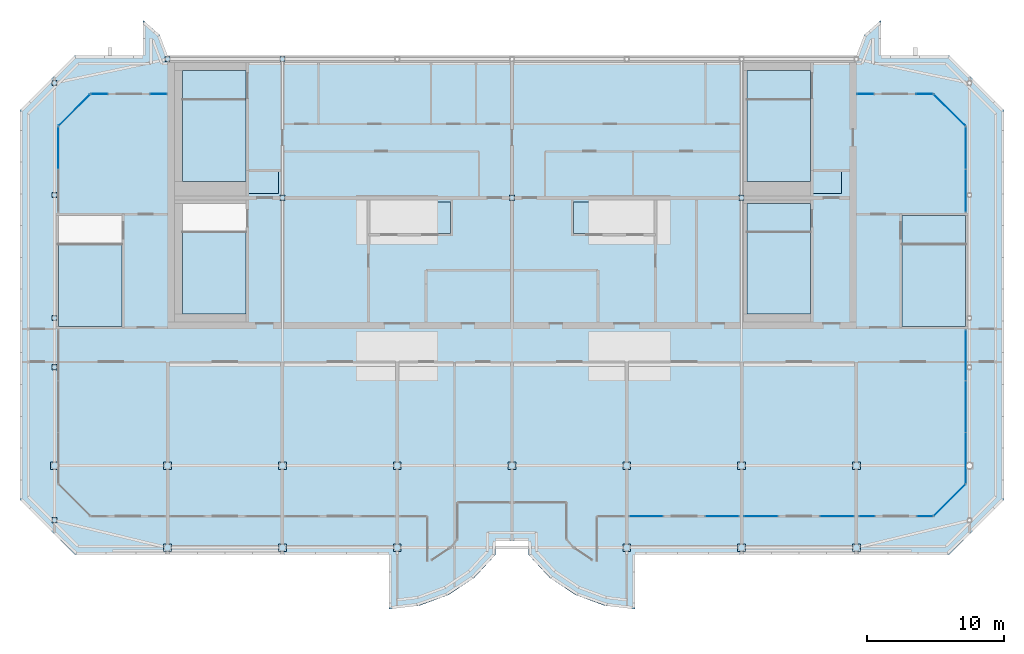
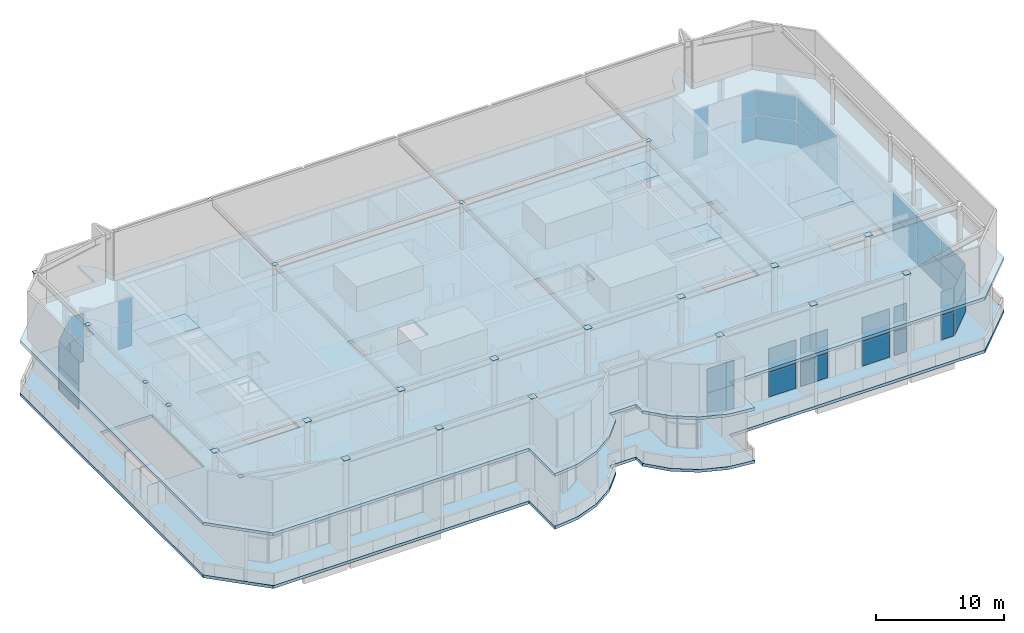
# One storey, part 17 of 25: 62 plates, 6 slabs, 16 elements without a shape of their own.
"""IFC4 building model written with IfcOpenShell, lengths in metres."""

from ifc_helpers import new_model, si_unit, direction, frame, origin, origin_2d, place, context, subcontext, project, spatial, polyline, rectangle, outline, extrude, source, transform, mapped, material, layer, layer_set, type_object, element, aggregate, save


model = new_model("IFC4")

# Units and contexts
model_context = context("Model", 3, precision=1e-05, world=origin(), true_north=direction((0.0, 1.0)))
body_context = subcontext(model_context, "Body", "Model", "MODEL_VIEW")
ifc_project = project(units=[si_unit("LENGTHUNIT", "METRE"), si_unit("AREAUNIT", "SQUARE_METRE"), si_unit("VOLUMEUNIT", "CUBIC_METRE"), si_unit("PLANEANGLEUNIT", "RADIAN"), si_unit("MASSUNIT", "GRAM", prefix="KILO")], contexts=[model_context])

# Site, building, storey
site_placement = place(None, origin())
site = spatial("IfcSite", under=ifc_project, at=site_placement, CompositionType="ELEMENT")
building_placement = place(site_placement, origin())
building = spatial("IfcBuilding", under=site, at=building_placement, Name="Vanashikhar Sky Hotel", CompositionType="ELEMENT")
storey_placement = place(building_placement, frame((0.0, 0.0, 329.699951171875)))
storey = spatial("IfcBuildingStorey", under=building, at=storey_placement, Name="L78", CompositionType="ELEMENT", Elevation=329.699951171875)

# Slabs
ifc_material_1 = material(Name="Concrete M40", Category="concrete")
ifc_layer_1 = layer(ifc_material_1, 0.280029296875)
ifc_layer_set_1 = layer_set([ifc_layer_1], Name="Floor slab 280 mm")
slab_type_1 = type_object("IfcSlabType", Name="Floor slab 280 mm", PredefinedType="FLOOR", material=ifc_layer_set_1)
shared_shape_1 = source(origin(), body_context, "Body", "SweptSolid", [
    extrude(outline(polyline([(49.199951171875, 5.5), (49.199951171875, 6.5), (51.60009765625, 6.5), (51.60009765625, 5.5), (53.133056640625, 3.825927734375), (55.01708984375, 2.55810546875), (57.14599609375, 1.76806640625), (59.39990234375, 1.5), (59.39990234375, 5.5), (82.39990234375, 5.5), (86.39990234375, 9.5), (86.39990234375, 38.0), (82.39990234375, 42.0), (77.412109375, 42.0), (77.412109375, 44.610107421875), (76.18505859375, 43.527099609375), (75.60009765625, 42.0), (25.199951171875, 42.0), (24.614990234375, 43.527099609375), (23.387939453125, 44.610107421875), (23.387939453125, 42.0), (18.39990234375, 42.0), (14.39990234375, 38.0), (14.39990234375, 9.5), (18.39990234375, 5.5), (41.39990234375, 5.5), (41.39990234375, 1.5), (43.654052734375, 1.76806640625), (45.782958984375, 2.55810546875), (47.6669921875, 3.825927734375), (49.199951171875, 5.5)]), holes=[polyline([(31.050048828125, 33.60009765625), (31.050048828125, 31.89990234375), (33.300048828125, 31.89990234375), (33.300048828125, 33.60009765625), (31.050048828125, 33.60009765625)]), polyline([(39.89990234375, 29.0), (45.89990234375, 29.0), (45.89990234375, 31.300048828125), (39.89990234375, 31.300048828125), (39.89990234375, 29.0)]), polyline([(54.89990234375, 31.300048828125), (54.89990234375, 29.0), (60.89990234375, 29.0), (60.89990234375, 31.300048828125), (54.89990234375, 31.300048828125)]), polyline([(72.35009765625, 33.60009765625), (72.35009765625, 31.89990234375), (74.5, 31.89990234375), (74.5, 33.60009765625), (72.35009765625, 33.60009765625)]), polyline([(30.949951171875, 23.10009765625), (30.949951171875, 31.199951171875), (26.300048828125, 31.199951171875), (26.300048828125, 23.10009765625), (30.949951171875, 23.10009765625)]), polyline([(72.25, 23.10009765625), (72.25, 31.199951171875), (67.60009765625, 31.199951171875), (67.60009765625, 23.10009765625), (72.25, 23.10009765625)]), polyline([(30.949951171875, 32.800048828125), (30.949951171875, 40.89990234375), (26.300048828125, 40.89990234375), (26.300048828125, 32.800048828125), (30.949951171875, 32.800048828125)]), polyline([(72.25, 32.800048828125), (72.25, 40.89990234375), (67.60009765625, 40.89990234375), (67.60009765625, 32.800048828125), (72.25, 32.800048828125)]), polyline([(83.60009765625, 22.199951171875), (83.60009765625, 30.300048828125), (78.949951171875, 30.300048828125), (78.949951171875, 22.199951171875), (83.60009765625, 22.199951171875)]), polyline([(21.85009765625, 22.199951171875), (21.85009765625, 30.300048828125), (17.199951171875, 30.300048828125), (17.199951171875, 22.199951171875), (21.85009765625, 22.199951171875)])]), origin(), (0.0, 0.0, 1.0), 0.280029296875),
])
slab_1_placement = place(storey_placement, frame((0.0, 0.0, -0.280029296875)))
element("IfcSlab", 1, at=slab_1_placement, inside=storey, type_object=slab_type_1, Name="Floor slab L78", PredefinedType="FLOOR", context=body_context, shape_type="MappedRepresentation", body=[
    mapped(shared_shape_1, transform((0.0, 0.0, 0.0), scale=1.0)),
])
ifc_layer_2 = layer(ifc_material_1, 0.280029296875)
ifc_layer_set_2 = layer_set([ifc_layer_2], Name="Deck roof slab 280 mm")
slab_type_2 = type_object("IfcSlabType", Name="Deck roof slab 280 mm", PredefinedType="ROOF", material=ifc_layer_set_2)
shared_shape_2 = source(origin(), body_context, "Body", "SweptSolid", [
    extrude(outline(polyline([(49.199951171875, 5.5), (49.199951171875, 6.5), (51.60009765625, 6.5), (51.60009765625, 5.5), (53.133056640625, 3.825927734375), (55.01708984375, 2.55810546875), (57.14599609375, 1.76806640625), (59.39990234375, 1.5), (59.39990234375, 5.5), (82.39990234375, 5.5), (86.39990234375, 9.5), (86.39990234375, 38.0), (82.39990234375, 42.0), (77.412109375, 42.0), (77.412109375, 44.610107421875), (76.18505859375, 43.527099609375), (75.60009765625, 42.0), (25.199951171875, 42.0), (24.614990234375, 43.527099609375), (23.387939453125, 44.610107421875), (23.387939453125, 42.0), (18.39990234375, 42.0), (14.39990234375, 38.0), (14.39990234375, 9.5), (18.39990234375, 5.5), (41.39990234375, 5.5), (41.39990234375, 1.5), (43.654052734375, 1.76806640625), (45.782958984375, 2.55810546875), (47.6669921875, 3.825927734375), (49.199951171875, 5.5)])), origin(), (0.0, 0.0, 1.0), 0.280029296875),
])
slab_2_placement = place(storey_placement, frame((0.0, 0.0, 4.719970703125)))
element("IfcSlab", 2, at=slab_2_placement, inside=storey, type_object=slab_type_2, Name="Deck roof slab", PredefinedType="ROOF", context=body_context, shape_type="MappedRepresentation", body=[
    mapped(shared_shape_2, transform((0.0, 0.0, 0.0), scale=1.0)),
])

# Curtain wall, plates
ifc_material_2 = material(Name="Glass", Category="glass")
curtain_wall_type = type_object("IfcCurtainWallType", Name="Observation enclosure", PredefinedType="NOTDEFINED", material=ifc_material_2)
curtain_wall_1_placement = place(storey_placement, origin())
curtain_wall_1 = element("IfcCurtainWall", 3, at=curtain_wall_1_placement, inside=storey, type_object=curtain_wall_type, Name="Observation enclosure", PredefinedType="NOTDEFINED")
ifc_layer_3 = layer(ifc_material_2, 0.028076171875)
ifc_layer_set_3 = layer_set([ifc_layer_3], Name="Observation glazing panel")
plate_type_1 = type_object("IfcPlateType", Name="Observation glazing panel", PredefinedType="CURTAIN_PANEL", material=ifc_layer_set_3)
shared_shape_3 = source(origin(), body_context, "Body", "SweptSolid", [
    extrude(rectangle(XDim=3.21728515625, YDim=0.028076171875, at=origin_2d()), origin(), (0.0, 0.0, 1.0), 2.27001953125),
])
plate_1_placement = place(storey_placement, frame((18.3798828125, 38.02001953125, 0.06005859375), z_axis=(0.0, 0.0, 1.0), x_axis=(-0.707106781187, -0.707106781187, 0.0)))
plate_1 = element("IfcPlate", 4, at=plate_1_placement, type_object=plate_type_1, Name="CW-6 panel 1.1", PredefinedType="CURTAIN_PANEL", context=body_context, shape_type="MappedRepresentation", body=[
    mapped(shared_shape_3, transform((0.0, 0.0, 0.0), scale=1.0)),
])
plate_2_placement = place(storey_placement, frame((18.3798828125, 38.02001953125, 2.39013671875), z_axis=(0.0, 0.0, 1.0), x_axis=(-0.707106781187, -0.707106781187, 0.0)))
plate_2 = element("IfcPlate", 5, at=plate_2_placement, type_object=plate_type_1, Name="CW-6 panel 1.2", PredefinedType="CURTAIN_PANEL", context=body_context, shape_type="MappedRepresentation", body=[
    mapped(shared_shape_3, transform((0.0, 0.0, 0.0), scale=1.0)),
])
aggregate(curtain_wall_1, [plate_1, plate_2])

curtain_wall_2_placement = place(storey_placement, origin())
curtain_wall_2 = element("IfcCurtainWall", 6, at=curtain_wall_2_placement, inside=storey, type_object=curtain_wall_type, Name="Observation enclosure", PredefinedType="NOTDEFINED")
plate_3_placement = place(storey_placement, frame((82.420166015625, 9.47998046875, 0.06005859375), z_axis=(0.0, 0.0, 1.0), x_axis=(0.707106781187, 0.707106781187, 0.0)))
plate_3 = element("IfcPlate", 7, at=plate_3_placement, type_object=plate_type_1, Name="CW-6 panel 1.1", PredefinedType="CURTAIN_PANEL", context=body_context, shape_type="MappedRepresentation", body=[
    mapped(shared_shape_3, transform((0.0, 0.0, 0.0), scale=1.0)),
])
plate_4_placement = place(storey_placement, frame((82.420166015625, 9.47998046875, 2.39013671875), z_axis=(0.0, 0.0, 1.0), x_axis=(0.707106781187, 0.707106781187, 0.0)))
plate_4 = element("IfcPlate", 8, at=plate_4_placement, type_object=plate_type_1, Name="CW-6 panel 1.2", PredefinedType="CURTAIN_PANEL", context=body_context, shape_type="MappedRepresentation", body=[
    mapped(shared_shape_3, transform((0.0, 0.0, 0.0), scale=1.0)),
])
aggregate(curtain_wall_2, [plate_3, plate_4])

curtain_wall_3_placement = place(storey_placement, origin())
curtain_wall_3 = element("IfcCurtainWall", 9, at=curtain_wall_3_placement, inside=storey, type_object=curtain_wall_type, Name="Observation enclosure", PredefinedType="NOTDEFINED")
plate_5_placement = place(storey_placement, frame((82.420166015625, 38.02001953125, 0.06005859375), z_axis=(0.0, 0.0, 1.0), x_axis=(-0.707106781187, 0.707106781187, 0.0)))
plate_5 = element("IfcPlate", 10, at=plate_5_placement, type_object=plate_type_1, Name="CW-6 panel 1.1", PredefinedType="CURTAIN_PANEL", context=body_context, shape_type="MappedRepresentation", body=[
    mapped(shared_shape_3, transform((0.0, 0.0, 0.0), scale=1.0)),
])
plate_6_placement = place(storey_placement, frame((82.420166015625, 38.02001953125, 2.39013671875), z_axis=(0.0, 0.0, 1.0), x_axis=(-0.707106781187, 0.707106781187, 0.0)))
plate_6 = element("IfcPlate", 11, at=plate_6_placement, type_object=plate_type_1, Name="CW-6 panel 1.2", PredefinedType="CURTAIN_PANEL", context=body_context, shape_type="MappedRepresentation", body=[
    mapped(shared_shape_3, transform((0.0, 0.0, 0.0), scale=1.0)),
])
aggregate(curtain_wall_3, [plate_5, plate_6])

curtain_wall_4_placement = place(storey_placement, origin())
curtain_wall_4 = element("IfcCurtainWall", 12, at=curtain_wall_4_placement, inside=storey, type_object=curtain_wall_type, Name="Observation enclosure", PredefinedType="NOTDEFINED")
shared_shape_4 = source(origin(), body_context, "Body", "SweptSolid", [
    extrude(rectangle(XDim=3.683349609375, YDim=0.028076171875, at=origin_2d()), origin(), (0.0, 0.0, 1.0), 2.27001953125),
])
plate_7_placement = place(storey_placement, frame((83.60009765625, 12.5615234375, 0.06005859375), z_axis=(0.0, 0.0, 1.0), x_axis=(0.0, 1.0, 0.0)))
plate_7 = element("IfcPlate", 13, at=plate_7_placement, type_object=plate_type_1, Name="CW-6 panel 1.1", PredefinedType="CURTAIN_PANEL", context=body_context, shape_type="MappedRepresentation", body=[
    mapped(shared_shape_4, transform((0.0, 0.0, 0.0), scale=1.0)),
])
plate_8_placement = place(storey_placement, frame((83.60009765625, 12.5615234375, 2.39013671875), z_axis=(0.0, 0.0, 1.0), x_axis=(0.0, 1.0, 0.0)))
plate_8 = element("IfcPlate", 14, at=plate_8_placement, type_object=plate_type_1, Name="CW-6 panel 1.2", PredefinedType="CURTAIN_PANEL", context=body_context, shape_type="MappedRepresentation", body=[
    mapped(shared_shape_4, transform((0.0, 0.0, 0.0), scale=1.0)),
])
plate_9_placement = place(storey_placement, frame((83.60009765625, 20.078369140625, 0.06005859375), z_axis=(0.0, 0.0, 1.0), x_axis=(0.0, 1.0, 0.0)))
plate_9 = element("IfcPlate", 15, at=plate_9_placement, type_object=plate_type_1, Name="CW-6 panel 3.1", PredefinedType="CURTAIN_PANEL", context=body_context, shape_type="MappedRepresentation", body=[
    mapped(shared_shape_4, transform((0.0, 0.0, 0.0), scale=1.0)),
])
plate_10_placement = place(storey_placement, frame((83.60009765625, 20.078369140625, 2.39013671875), z_axis=(0.0, 0.0, 1.0), x_axis=(0.0, 1.0, 0.0)))
plate_10 = element("IfcPlate", 16, at=plate_10_placement, type_object=plate_type_1, Name="CW-6 panel 3.2", PredefinedType="CURTAIN_PANEL", context=body_context, shape_type="MappedRepresentation", body=[
    mapped(shared_shape_4, transform((0.0, 0.0, 0.0), scale=1.0)),
])
shared_shape_5 = source(origin(), body_context, "Body", "SweptSolid", [
    extrude(rectangle(XDim=3.71337890625, YDim=0.028076171875, at=origin_2d()), origin(), (0.0, 0.0, 1.0), 2.27001953125),
])
plate_11_placement = place(storey_placement, frame((83.60009765625, 16.31982421875, 0.06005859375), z_axis=(0.0, 0.0, 1.0), x_axis=(0.0, 1.0, 0.0)))
plate_11 = element("IfcPlate", 17, at=plate_11_placement, type_object=plate_type_1, Name="CW-6 panel 2.1", PredefinedType="CURTAIN_PANEL", context=body_context, shape_type="MappedRepresentation", body=[
    mapped(shared_shape_5, transform((0.0, 0.0, 0.0), scale=1.0)),
])
plate_12_placement = place(storey_placement, frame((83.60009765625, 16.31982421875, 2.39013671875), z_axis=(0.0, 0.0, 1.0), x_axis=(0.0, 1.0, 0.0)))
plate_12 = element("IfcPlate", 18, at=plate_12_placement, type_object=plate_type_1, Name="CW-6 panel 2.2", PredefinedType="CURTAIN_PANEL", context=body_context, shape_type="MappedRepresentation", body=[
    mapped(shared_shape_5, transform((0.0, 0.0, 0.0), scale=1.0)),
])
aggregate(curtain_wall_4, [plate_7, plate_8, plate_11, plate_12, plate_9, plate_10])

curtain_wall_5_placement = place(storey_placement, origin())
curtain_wall_5 = element("IfcCurtainWall", 19, at=curtain_wall_5_placement, inside=storey, type_object=curtain_wall_type, Name="Observation enclosure", PredefinedType="NOTDEFINED")
shared_shape_6 = source(origin(), body_context, "Body", "SweptSolid", [
    extrude(rectangle(XDim=3.070068359375, YDim=0.028076171875, at=origin_2d()), origin(), (0.0, 0.0, 1.0), 2.27001953125),
])
plate_13_placement = place(storey_placement, frame((17.199951171875, 35.2451171875, 0.06005859375), z_axis=(0.0, 0.0, 1.0), x_axis=(0.0, -1.0, 0.0)))
plate_13 = element("IfcPlate", 20, at=plate_13_placement, type_object=plate_type_1, Name="CW-6 panel 1.1", PredefinedType="CURTAIN_PANEL", context=body_context, shape_type="MappedRepresentation", body=[
    mapped(shared_shape_6, transform((0.0, 0.0, 0.0), scale=1.0)),
])
plate_14_placement = place(storey_placement, frame((17.199951171875, 35.2451171875, 2.39013671875), z_axis=(0.0, 0.0, 1.0), x_axis=(0.0, -1.0, 0.0)))
plate_14 = element("IfcPlate", 21, at=plate_14_placement, type_object=plate_type_1, Name="CW-6 panel 1.2", PredefinedType="CURTAIN_PANEL", context=body_context, shape_type="MappedRepresentation", body=[
    mapped(shared_shape_6, transform((0.0, 0.0, 0.0), scale=1.0)),
])
aggregate(curtain_wall_5, [plate_13, plate_14])

curtain_wall_6_placement = place(storey_placement, origin())
curtain_wall_6 = element("IfcCurtainWall", 22, at=curtain_wall_6_placement, inside=storey, type_object=curtain_wall_type, Name="Observation enclosure", PredefinedType="NOTDEFINED")
plate_15_placement = place(storey_placement, frame((83.60009765625, 32.114990234375, 0.06005859375), z_axis=(0.0, 0.0, 1.0), x_axis=(0.0, 1.0, 0.0)))
plate_15 = element("IfcPlate", 23, at=plate_15_placement, type_object=plate_type_1, Name="CW-6 panel 1.1", PredefinedType="CURTAIN_PANEL", context=body_context, shape_type="MappedRepresentation", body=[
    mapped(shared_shape_6, transform((0.0, 0.0, 0.0), scale=1.0)),
])
plate_16_placement = place(storey_placement, frame((83.60009765625, 32.114990234375, 2.39013671875), z_axis=(0.0, 0.0, 1.0), x_axis=(0.0, 1.0, 0.0)))
plate_16 = element("IfcPlate", 24, at=plate_16_placement, type_object=plate_type_1, Name="CW-6 panel 1.2", PredefinedType="CURTAIN_PANEL", context=body_context, shape_type="MappedRepresentation", body=[
    mapped(shared_shape_6, transform((0.0, 0.0, 0.0), scale=1.0)),
])
plate_17_placement = place(storey_placement, frame((83.60009765625, 35.2451171875, 0.06005859375), z_axis=(0.0, 0.0, 1.0), x_axis=(0.0, 1.0, 0.0)))
plate_17 = element("IfcPlate", 25, at=plate_17_placement, type_object=plate_type_1, Name="CW-6 panel 2.1", PredefinedType="CURTAIN_PANEL", context=body_context, shape_type="MappedRepresentation", body=[
    mapped(shared_shape_6, transform((0.0, 0.0, 0.0), scale=1.0)),
])
plate_18_placement = place(storey_placement, frame((83.60009765625, 35.2451171875, 2.39013671875), z_axis=(0.0, 0.0, 1.0), x_axis=(0.0, 1.0, 0.0)))
plate_18 = element("IfcPlate", 26, at=plate_18_placement, type_object=plate_type_1, Name="CW-6 panel 2.2", PredefinedType="CURTAIN_PANEL", context=body_context, shape_type="MappedRepresentation", body=[
    mapped(shared_shape_6, transform((0.0, 0.0, 0.0), scale=1.0)),
])
aggregate(curtain_wall_6, [plate_15, plate_16, plate_17, plate_18])

curtain_wall_7_placement = place(storey_placement, origin())
curtain_wall_7 = element("IfcCurtainWall", 27, at=curtain_wall_7_placement, inside=storey, type_object=curtain_wall_type, Name="Observation enclosure", PredefinedType="NOTDEFINED")
shared_shape_7 = source(origin(), body_context, "Body", "SweptSolid", [
    extrude(rectangle(XDim=1.127685546875, YDim=0.028076171875, at=origin_2d()), origin(), (0.0, 0.0, 1.0), 2.27001953125),
])
plate_19_placement = place(storey_placement, frame((76.368896484375, 8.300048828125, 0.06005859375), z_axis=(0.0, 0.0, 1.0), x_axis=(1.0, 0.0, 0.0)))
plate_19 = element("IfcPlate", 28, at=plate_19_placement, type_object=plate_type_1, Name="CW-6 panel 1.1", PredefinedType="CURTAIN_PANEL", context=body_context, shape_type="MappedRepresentation", body=[
    mapped(shared_shape_7, transform((0.0, 0.0, 0.0), scale=1.0)),
])
plate_20_placement = place(storey_placement, frame((76.368896484375, 8.300048828125, 2.39013671875), z_axis=(0.0, 0.0, 1.0), x_axis=(1.0, 0.0, 0.0)))
plate_20 = element("IfcPlate", 29, at=plate_20_placement, type_object=plate_type_1, Name="CW-6 panel 1.2", PredefinedType="CURTAIN_PANEL", context=body_context, shape_type="MappedRepresentation", body=[
    mapped(shared_shape_7, transform((0.0, 0.0, 0.0), scale=1.0)),
])
aggregate(curtain_wall_7, [plate_19, plate_20])

curtain_wall_8_placement = place(storey_placement, origin())
curtain_wall_8 = element("IfcCurtainWall", 30, at=curtain_wall_8_placement, inside=storey, type_object=curtain_wall_type, Name="Observation enclosure", PredefinedType="NOTDEFINED")
plate_21_placement = place(storey_placement, frame((80.616455078125, 8.300048828125, 0.06005859375), z_axis=(0.0, 0.0, 1.0), x_axis=(1.0, 0.0, 0.0)))
plate_21 = element("IfcPlate", 31, at=plate_21_placement, type_object=plate_type_1, Name="CW-6 panel 1.1", PredefinedType="CURTAIN_PANEL", context=body_context, shape_type="MappedRepresentation", body=[
    mapped(shared_shape_7, transform((0.0, 0.0, 0.0), scale=1.0)),
])
plate_22_placement = place(storey_placement, frame((80.616455078125, 8.300048828125, 2.39013671875), z_axis=(0.0, 0.0, 1.0), x_axis=(1.0, 0.0, 0.0)))
plate_22 = element("IfcPlate", 32, at=plate_22_placement, type_object=plate_type_1, Name="CW-6 panel 1.2", PredefinedType="CURTAIN_PANEL", context=body_context, shape_type="MappedRepresentation", body=[
    mapped(shared_shape_7, transform((0.0, 0.0, 0.0), scale=1.0)),
])
aggregate(curtain_wall_8, [plate_21, plate_22])

curtain_wall_9_placement = place(storey_placement, origin())
curtain_wall_9 = element("IfcCurtainWall", 33, at=curtain_wall_9_placement, inside=storey, type_object=curtain_wall_type, Name="Observation enclosure", PredefinedType="NOTDEFINED")
shared_shape_8 = source(origin(), body_context, "Body", "SweptSolid", [
    extrude(rectangle(XDim=2.43505859375, YDim=0.028076171875, at=origin_2d()), origin(), (0.0, 0.0, 1.0), 2.27001953125),
])
plate_23_placement = place(storey_placement, frame((60.222412109375, 8.300048828125, 0.06005859375), z_axis=(0.0, 0.0, 1.0), x_axis=(1.0, 0.0, 0.0)))
plate_23 = element("IfcPlate", 34, at=plate_23_placement, type_object=plate_type_1, Name="CW-6 panel 1.1", PredefinedType="CURTAIN_PANEL", context=body_context, shape_type="MappedRepresentation", body=[
    mapped(shared_shape_8, transform((0.0, 0.0, 0.0), scale=1.0)),
])
plate_24_placement = place(storey_placement, frame((60.222412109375, 8.300048828125, 2.39013671875), z_axis=(0.0, 0.0, 1.0), x_axis=(1.0, 0.0, 0.0)))
plate_24 = element("IfcPlate", 35, at=plate_24_placement, type_object=plate_type_1, Name="CW-6 panel 1.2", PredefinedType="CURTAIN_PANEL", context=body_context, shape_type="MappedRepresentation", body=[
    mapped(shared_shape_8, transform((0.0, 0.0, 0.0), scale=1.0)),
])
aggregate(curtain_wall_9, [plate_23, plate_24])

curtain_wall_10_placement = place(storey_placement, origin())
curtain_wall_10 = element("IfcCurtainWall", 36, at=curtain_wall_10_placement, inside=storey, type_object=curtain_wall_type, Name="Observation enclosure", PredefinedType="NOTDEFINED")
plate_25_placement = place(storey_placement, frame((65.777587890625, 8.300048828125, 0.06005859375), z_axis=(0.0, 0.0, 1.0), x_axis=(1.0, 0.0, 0.0)))
plate_25 = element("IfcPlate", 37, at=plate_25_placement, type_object=plate_type_1, Name="CW-6 panel 1.1", PredefinedType="CURTAIN_PANEL", context=body_context, shape_type="MappedRepresentation", body=[
    mapped(shared_shape_8, transform((0.0, 0.0, 0.0), scale=1.0)),
])
plate_26_placement = place(storey_placement, frame((65.777587890625, 8.300048828125, 2.39013671875), z_axis=(0.0, 0.0, 1.0), x_axis=(1.0, 0.0, 0.0)))
plate_26 = element("IfcPlate", 38, at=plate_26_placement, type_object=plate_type_1, Name="CW-6 panel 1.2", PredefinedType="CURTAIN_PANEL", context=body_context, shape_type="MappedRepresentation", body=[
    mapped(shared_shape_8, transform((0.0, 0.0, 0.0), scale=1.0)),
])
aggregate(curtain_wall_10, [plate_25, plate_26])

curtain_wall_11_placement = place(storey_placement, origin())
curtain_wall_11 = element("IfcCurtainWall", 39, at=curtain_wall_11_placement, inside=storey, type_object=curtain_wall_type, Name="Observation enclosure", PredefinedType="NOTDEFINED")
plate_27_placement = place(storey_placement, frame((68.62255859375, 8.300048828125, 0.06005859375), z_axis=(0.0, 0.0, 1.0), x_axis=(1.0, 0.0, 0.0)))
plate_27 = element("IfcPlate", 40, at=plate_27_placement, type_object=plate_type_1, Name="CW-6 panel 1.1", PredefinedType="CURTAIN_PANEL", context=body_context, shape_type="MappedRepresentation", body=[
    mapped(shared_shape_8, transform((0.0, 0.0, 0.0), scale=1.0)),
])
plate_28_placement = place(storey_placement, frame((68.62255859375, 8.300048828125, 2.39013671875), z_axis=(0.0, 0.0, 1.0), x_axis=(1.0, 0.0, 0.0)))
plate_28 = element("IfcPlate", 41, at=plate_28_placement, type_object=plate_type_1, Name="CW-6 panel 1.2", PredefinedType="CURTAIN_PANEL", context=body_context, shape_type="MappedRepresentation", body=[
    mapped(shared_shape_8, transform((0.0, 0.0, 0.0), scale=1.0)),
])
aggregate(curtain_wall_11, [plate_27, plate_28])

curtain_wall_12_placement = place(storey_placement, origin())
curtain_wall_12 = element("IfcCurtainWall", 42, at=curtain_wall_12_placement, inside=storey, type_object=curtain_wall_type, Name="Observation enclosure", PredefinedType="NOTDEFINED")
plate_29_placement = place(storey_placement, frame((74.177490234375, 8.300048828125, 0.06005859375), z_axis=(0.0, 0.0, 1.0), x_axis=(1.0, 0.0, 0.0)))
plate_29 = element("IfcPlate", 43, at=plate_29_placement, type_object=plate_type_1, Name="CW-6 panel 1.1", PredefinedType="CURTAIN_PANEL", context=body_context, shape_type="MappedRepresentation", body=[
    mapped(shared_shape_8, transform((0.0, 0.0, 0.0), scale=1.0)),
])
plate_30_placement = place(storey_placement, frame((74.177490234375, 8.300048828125, 2.39013671875), z_axis=(0.0, 0.0, 1.0), x_axis=(1.0, 0.0, 0.0)))
plate_30 = element("IfcPlate", 44, at=plate_30_placement, type_object=plate_type_1, Name="CW-6 panel 1.2", PredefinedType="CURTAIN_PANEL", context=body_context, shape_type="MappedRepresentation", body=[
    mapped(shared_shape_8, transform((0.0, 0.0, 0.0), scale=1.0)),
])
aggregate(curtain_wall_12, [plate_29, plate_30])

curtain_wall_13_placement = place(storey_placement, origin())
curtain_wall_13 = element("IfcCurtainWall", 45, at=curtain_wall_13_placement, inside=storey, type_object=curtain_wall_type, Name="Observation enclosure", PredefinedType="NOTDEFINED")
shared_shape_9 = source(origin(), body_context, "Body", "SweptSolid", [
    extrude(rectangle(XDim=1.190185546875, YDim=0.028076171875, at=origin_2d()), origin(), (0.0, 0.0, 1.0), 2.27001953125),
])
plate_31_placement = place(storey_placement, frame((80.585205078125, 39.199951171875, 0.06005859375), z_axis=(0.0, 0.0, 1.0), x_axis=(-1.0, 0.0, 0.0)))
plate_31 = element("IfcPlate", 46, at=plate_31_placement, type_object=plate_type_1, Name="CW-6 panel 1.1", PredefinedType="CURTAIN_PANEL", context=body_context, shape_type="MappedRepresentation", body=[
    mapped(shared_shape_9, transform((0.0, 0.0, 0.0), scale=1.0)),
])
plate_32_placement = place(storey_placement, frame((80.585205078125, 39.199951171875, 2.39013671875), z_axis=(0.0, 0.0, 1.0), x_axis=(-1.0, 0.0, 0.0)))
plate_32 = element("IfcPlate", 47, at=plate_32_placement, type_object=plate_type_1, Name="CW-6 panel 1.2", PredefinedType="CURTAIN_PANEL", context=body_context, shape_type="MappedRepresentation", body=[
    mapped(shared_shape_9, transform((0.0, 0.0, 0.0), scale=1.0)),
])
aggregate(curtain_wall_13, [plate_31, plate_32])

curtain_wall_14_placement = place(storey_placement, origin())
curtain_wall_14 = element("IfcCurtainWall", 48, at=curtain_wall_14_placement, inside=storey, type_object=curtain_wall_type, Name="Observation enclosure", PredefinedType="NOTDEFINED")
plate_33_placement = place(storey_placement, frame((76.275146484375, 39.199951171875, 0.06005859375), z_axis=(0.0, 0.0, 1.0), x_axis=(-1.0, 0.0, 0.0)))
plate_33 = element("IfcPlate", 49, at=plate_33_placement, type_object=plate_type_1, Name="CW-6 panel 1.1", PredefinedType="CURTAIN_PANEL", context=body_context, shape_type="MappedRepresentation", body=[
    mapped(shared_shape_9, transform((0.0, 0.0, 0.0), scale=1.0)),
])
plate_34_placement = place(storey_placement, frame((76.275146484375, 39.199951171875, 2.39013671875), z_axis=(0.0, 0.0, 1.0), x_axis=(-1.0, 0.0, 0.0)))
plate_34 = element("IfcPlate", 50, at=plate_34_placement, type_object=plate_type_1, Name="CW-6 panel 1.2", PredefinedType="CURTAIN_PANEL", context=body_context, shape_type="MappedRepresentation", body=[
    mapped(shared_shape_9, transform((0.0, 0.0, 0.0), scale=1.0)),
])
aggregate(curtain_wall_14, [plate_33, plate_34])

curtain_wall_15_placement = place(storey_placement, origin())
curtain_wall_15 = element("IfcCurtainWall", 51, at=curtain_wall_15_placement, inside=storey, type_object=curtain_wall_type, Name="Observation enclosure", PredefinedType="NOTDEFINED")
plate_35_placement = place(storey_placement, frame((24.52490234375, 39.199951171875, 0.06005859375), z_axis=(0.0, 0.0, 1.0), x_axis=(-1.0, 0.0, 0.0)))
plate_35 = element("IfcPlate", 52, at=plate_35_placement, type_object=plate_type_1, Name="CW-6 panel 1.1", PredefinedType="CURTAIN_PANEL", context=body_context, shape_type="MappedRepresentation", body=[
    mapped(shared_shape_9, transform((0.0, 0.0, 0.0), scale=1.0)),
])
plate_36_placement = place(storey_placement, frame((24.52490234375, 39.199951171875, 2.39013671875), z_axis=(0.0, 0.0, 1.0), x_axis=(-1.0, 0.0, 0.0)))
plate_36 = element("IfcPlate", 53, at=plate_36_placement, type_object=plate_type_1, Name="CW-6 panel 1.2", PredefinedType="CURTAIN_PANEL", context=body_context, shape_type="MappedRepresentation", body=[
    mapped(shared_shape_9, transform((0.0, 0.0, 0.0), scale=1.0)),
])
aggregate(curtain_wall_15, [plate_35, plate_36])

curtain_wall_16_placement = place(storey_placement, origin())
curtain_wall_16 = element("IfcCurtainWall", 54, at=curtain_wall_16_placement, inside=storey, type_object=curtain_wall_type, Name="Observation enclosure", PredefinedType="NOTDEFINED")
plate_37_placement = place(storey_placement, frame((20.21484375, 39.199951171875, 0.06005859375), z_axis=(0.0, 0.0, 1.0), x_axis=(-1.0, 0.0, 0.0)))
plate_37 = element("IfcPlate", 55, at=plate_37_placement, type_object=plate_type_1, Name="CW-6 panel 1.1", PredefinedType="CURTAIN_PANEL", context=body_context, shape_type="MappedRepresentation", body=[
    mapped(shared_shape_9, transform((0.0, 0.0, 0.0), scale=1.0)),
])
plate_38_placement = place(storey_placement, frame((20.21484375, 39.199951171875, 2.39013671875), z_axis=(0.0, 0.0, 1.0), x_axis=(-1.0, 0.0, 0.0)))
plate_38 = element("IfcPlate", 56, at=plate_38_placement, type_object=plate_type_1, Name="CW-6 panel 1.2", PredefinedType="CURTAIN_PANEL", context=body_context, shape_type="MappedRepresentation", body=[
    mapped(shared_shape_9, transform((0.0, 0.0, 0.0), scale=1.0)),
])
aggregate(curtain_wall_16, [plate_37, plate_38])

# Plates
ifc_material_3 = material(Name="Steel S355", Category="steel")
ifc_layer_4 = layer(ifc_material_3, 0.02001953125)
ifc_layer_set_4 = layer_set([ifc_layer_4], Name="Post cap plate 20")
plate_type_2 = type_object("IfcPlateType", Name="Post cap plate 20", PredefinedType="SHEET", material=ifc_layer_set_4)
shared_shape_10 = source(origin(), body_context, "Body", "SweptSolid", [
    extrude(rectangle(XDim=0.568115234375, YDim=0.568115234375, at=origin_2d()), origin(), (0.0, 0.0, 1.0), 0.02001953125),
])
for number, where, z_axis, x_axis, name in (
    (57, (25.199951171875, 6.0, 9.400146484375), (0.0, 0.0, 1.0), (1.0, 0.0, 0.0), "Post cap plate"),
    (58, (33.60009765625, 6.0, 9.400146484375), (0.0, 0.0, 1.0), (1.0, 0.0, 0.0), "Post cap plate"),
    (59, (42.0, 6.0, 9.400146484375), (0.0, 0.0, 1.0), (1.0, 0.0, 0.0), "Post cap plate"),
    (60, (58.800048828125, 6.0, 9.400146484375), (0.0, 0.0, 1.0), (1.0, 0.0, 0.0), "Post cap plate"),
    (61, (67.199951171875, 6.0, 9.400146484375), (0.0, 0.0, 1.0), (1.0, 0.0, 0.0), "Post cap plate"),
    (62, (75.60009765625, 6.0, 9.400146484375), (0.0, 0.0, 1.0), (1.0, 0.0, 0.0), "Post cap plate"),
    (63, (16.925048828125, 12.0, 9.400146484375), (0.0, 0.0, 1.0), (1.0, 0.0, 0.0), "Post cap plate"),
    (64, (25.199951171875, 12.0, 9.400146484375), (0.0, 0.0, 1.0), (1.0, 0.0, 0.0), "Post cap plate"),
    (65, (33.60009765625, 12.0, 9.400146484375), (0.0, 0.0, 1.0), (1.0, 0.0, 0.0), "Post cap plate"),
    (66, (42.0, 12.0, 9.400146484375), (0.0, 0.0, 1.0), (1.0, 0.0, 0.0), "Post cap plate"),
    (67, (50.39990234375, 12.0, 9.400146484375), (0.0, 0.0, 1.0), (1.0, 0.0, 0.0), "Post cap plate"),
    (68, (58.800048828125, 12.0, 9.400146484375), (0.0, 0.0, 1.0), (1.0, 0.0, 0.0), "Post cap plate"),
    (69, (67.199951171875, 12.0, 9.400146484375), (0.0, 0.0, 1.0), (1.0, 0.0, 0.0), "Post cap plate"),
    (70, (75.60009765625, 12.0, 9.400146484375), (0.0, 0.0, 1.0), (1.0, 0.0, 0.0), "Post cap plate"),
):
    element("IfcPlate", number, at=place(storey_placement, frame(where, z_axis=z_axis, x_axis=x_axis)), inside=storey, type_object=plate_type_2, Name=name, PredefinedType="SHEET", context=body_context, shape_type="MappedRepresentation", body=[
        mapped(shared_shape_10, transform((0.0, 0.0, 0.0), scale=1.0)),
    ])
shared_shape_11 = source(origin(), body_context, "Body", "SweptSolid", [
    extrude(rectangle(XDim=0.384033203125, YDim=0.384033203125, at=origin_2d()), origin(), (0.0, 0.0, 1.0), 0.02001953125),
])
for number, where, z_axis, x_axis, name in (
    (71, (25.199951171875, 41.75, 9.400146484375), (0.0, 0.0, 1.0), (1.0, 0.0, 0.0), "Post cap plate"),
    (72, (33.60009765625, 41.75, 9.400146484375), (0.0, 0.0, 1.0), (1.0, 0.0, 0.0), "Post cap plate"),
    (73, (16.925048828125, 8.0, 9.400146484375), (0.0, 0.0, 1.0), (1.0, 0.0, 0.0), "Post cap plate"),
    (74, (16.925048828125, 19.199951171875, 9.400146484375), (0.0, 0.0, 1.0), (1.0, 0.0, 0.0), "Post cap plate"),
    (75, (16.925048828125, 22.800048828125, 9.400146484375), (0.0, 0.0, 1.0), (1.0, 0.0, 0.0), "Post cap plate"),
    (76, (16.925048828125, 31.800048828125, 9.400146484375), (0.0, 0.0, 1.0), (1.0, 0.0, 0.0), "Post cap plate"),
    (77, (16.925048828125, 40.0, 9.400146484375), (0.0, 0.0, 1.0), (1.0, 0.0, 0.0), "Post cap plate"),
    (78, (33.60009765625, 31.60009765625, 9.400146484375), (0.0, 0.0, 1.0), (1.0, 0.0, 0.0), "Post cap plate"),
    (79, (50.39990234375, 31.60009765625, 9.400146484375), (0.0, 0.0, 1.0), (1.0, 0.0, 0.0), "Post cap plate"),
    (80, (67.199951171875, 31.60009765625, 9.400146484375), (0.0, 0.0, 1.0), (1.0, 0.0, 0.0), "Post cap plate"),
):
    element("IfcPlate", number, at=place(storey_placement, frame(where, z_axis=z_axis, x_axis=x_axis)), inside=storey, type_object=plate_type_2, Name=name, PredefinedType="SHEET", context=body_context, shape_type="MappedRepresentation", body=[
        mapped(shared_shape_11, transform((0.0, 0.0, 0.0), scale=1.0)),
    ])

# Slabs
ifc_layer_5 = layer(ifc_material_1, 0.280029296875)
ifc_layer_set_5 = layer_set([ifc_layer_5], Name="Stair floor landing 280")
slab_type_3 = type_object("IfcSlabType", Name="Stair floor landing 280", PredefinedType="LANDING", material=ifc_layer_set_5)
shared_shape_12 = source(origin(), body_context, "Body", "SweptSolid", [
    extrude(outline(polyline([(72.25, 29.050048828125), (72.25, 31.199951171875), (67.60009765625, 31.199951171875), (67.60009765625, 29.050048828125), (72.25, 29.050048828125)])), origin(), (0.0, 0.0, 1.0), 0.280029296875),
])
slab_3_placement = place(storey_placement, frame((0.0, 0.0, -0.280029296875)))
element("IfcSlab", 81, at=slab_3_placement, inside=storey, type_object=slab_type_3, Name="Exit stair 2 floor landing", PredefinedType="LANDING", context=body_context, shape_type="MappedRepresentation", body=[
    mapped(shared_shape_12, transform((0.0, 0.0, 0.0), scale=1.0)),
])
shared_shape_13 = source(origin(), body_context, "Body", "SweptSolid", [
    extrude(outline(polyline([(83.60009765625, 28.14990234375), (83.60009765625, 30.300048828125), (78.949951171875, 30.300048828125), (78.949951171875, 28.14990234375), (83.60009765625, 28.14990234375)])), origin(), (0.0, 0.0, 1.0), 0.280029296875),
])
slab_4_placement = place(storey_placement, frame((0.0, 0.0, -0.280029296875)))
element("IfcSlab", 82, at=slab_4_placement, inside=storey, type_object=slab_type_3, Name="Exit stair 4 floor landing", PredefinedType="LANDING", context=body_context, shape_type="MappedRepresentation", body=[
    mapped(shared_shape_13, transform((0.0, 0.0, 0.0), scale=1.0)),
])
shared_shape_14 = source(origin(), body_context, "Body", "SweptSolid", [
    extrude(outline(polyline([(30.949951171875, 38.75), (30.949951171875, 40.89990234375), (26.300048828125, 40.89990234375), (26.300048828125, 38.75), (30.949951171875, 38.75)])), origin(), (0.0, 0.0, 1.0), 0.280029296875),
])
slab_5_placement = place(storey_placement, frame((0.0, 0.0, -0.280029296875)))
element("IfcSlab", 83, at=slab_5_placement, inside=storey, type_object=slab_type_3, Name="Exit stair 5 floor landing", PredefinedType="LANDING", context=body_context, shape_type="MappedRepresentation", body=[
    mapped(shared_shape_14, transform((0.0, 0.0, 0.0), scale=1.0)),
])
shared_shape_15 = source(origin(), body_context, "Body", "SweptSolid", [
    extrude(outline(polyline([(72.25, 38.75), (72.25, 40.89990234375), (67.60009765625, 40.89990234375), (67.60009765625, 38.75), (72.25, 38.75)])), origin(), (0.0, 0.0, 1.0), 0.280029296875),
])
slab_6_placement = place(storey_placement, frame((0.0, 0.0, -0.280029296875)))
element("IfcSlab", 84, at=slab_6_placement, inside=storey, type_object=slab_type_3, Name="Exit stair 6 floor landing", PredefinedType="LANDING", context=body_context, shape_type="MappedRepresentation", body=[
    mapped(shared_shape_15, transform((0.0, 0.0, 0.0), scale=1.0)),
])

save(model, "model.ifc")
